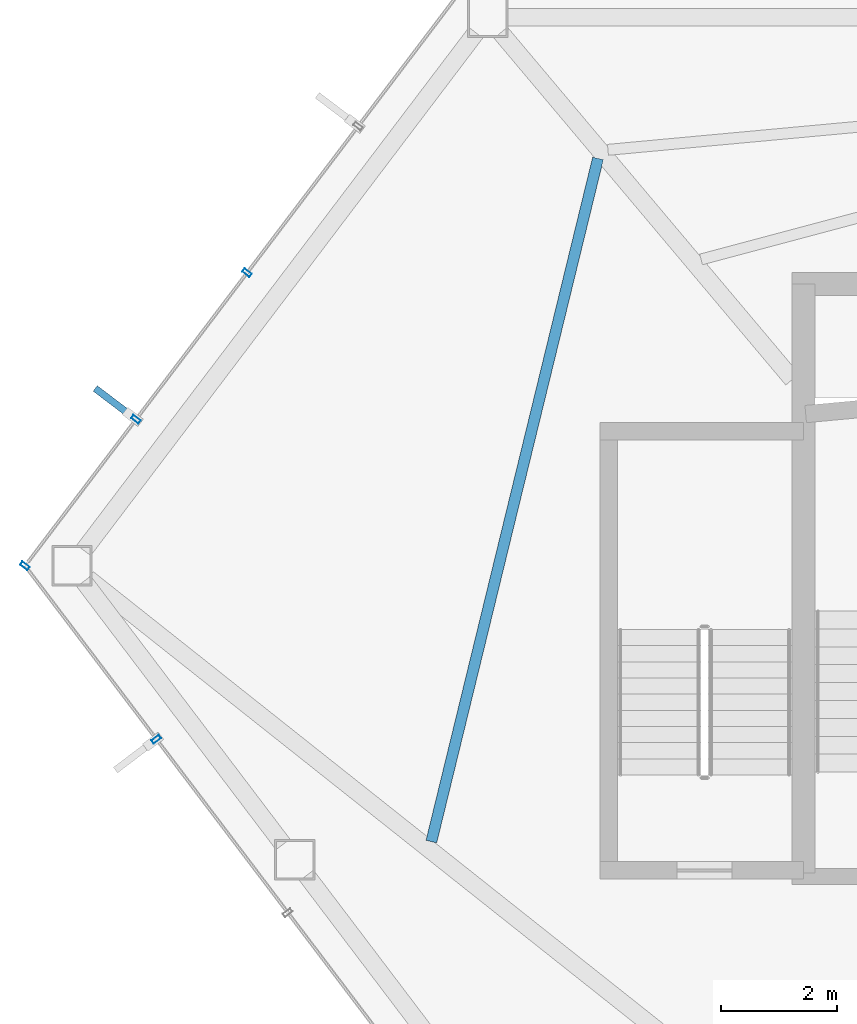
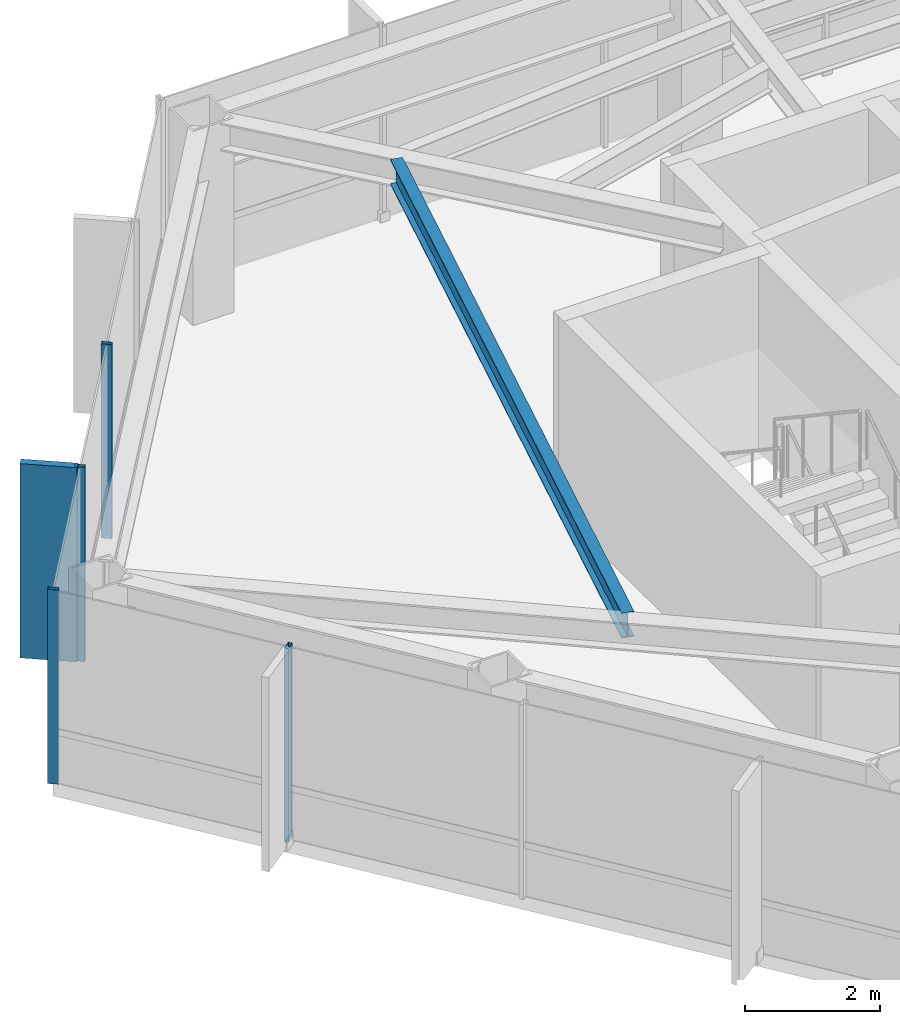
# One storey, part 10 of 27: 5 members, 1 beam, 2 elements without a shape of their own.
"""IFC4 building model written with IfcOpenShell, lengths in metres."""

from ifc_helpers import new_model, si_unit, direction, frame, origin, origin_2d, place, context, subcontext, project, spatial, rectangle, hollow_rectangle, i_section, extrude, material, layer, layer_set, material_profile, profile_set, type_object, element, aggregate, save


model = new_model("IFC4")

# Units and contexts
model_context = context("Model", 3, precision=1e-05, world=origin(), true_north=direction((0.0, 1.0)))
body_context = subcontext(model_context, "Body", "Model", "MODEL_VIEW")
ifc_project = project(units=[si_unit("LENGTHUNIT", "METRE"), si_unit("AREAUNIT", "SQUARE_METRE"), si_unit("VOLUMEUNIT", "CUBIC_METRE"), si_unit("PLANEANGLEUNIT", "RADIAN"), si_unit("MASSUNIT", "GRAM", prefix="KILO")], contexts=[model_context])

# Site, building, storey
site_placement = place(None, origin())
site = spatial("IfcSite", under=ifc_project, at=site_placement, CompositionType="ELEMENT")
building_placement = place(site_placement, origin())
building = spatial("IfcBuilding", under=site, at=building_placement, Name="Zarrinselat Tower", CompositionType="ELEMENT")
storey_placement = place(building_placement, frame((0.0, 0.0, 179.52001953125)))
storey = spatial("IfcBuildingStorey", under=building, at=storey_placement, Name="L44", CompositionType="ELEMENT", Elevation=179.52001953125)

# Beam
ifc_material_1 = material(Name="Steel S355J2", Category="steel")
ifc_material_profile_1 = material_profile(ifc_material_1, i_section(OverallWidth=0.18994140625, OverallDepth=0.449951171875, WebThickness=0.009521484375, FlangeThickness=0.0146484375, at=origin_2d()), Name="IPE 450")
ifc_profile_set_1 = profile_set([ifc_material_profile_1], Name="Steel S355J2")
beam_type = type_object("IfcBeamType", Name="BM-IPE450", PredefinedType="JOIST", material=ifc_profile_set_1)
beam_placement = place(storey_placement, frame((22.158203125, 33.7978515625, 3.27490234375), z_axis=(0.236982954582, 0.971513808053, 0.0), x_axis=(-0.971513808053, 0.236982954582, 0.0)))
element("IfcBeam", 1, at=beam_placement, inside=storey, type_object=beam_type, Name="L44 Composite Floor Joist 10-1", PredefinedType="JOIST", context=body_context, shape_type="SweptSolid", body=[
    extrude(i_section(OverallWidth=0.18994140625, OverallDepth=0.449951171875, WebThickness=0.009521484375, FlangeThickness=0.0146484375, at=origin_2d()), origin(), (0.0, 0.0, 1.0), 12.175048828125),
])

# Curtain wall, members
ifc_material_2 = material(Name="Extruded Aluminium Alloy EN AW-6063 T6", Category="aluminium")
ifc_layer = layer(ifc_material_2, 0.175048828125)
ifc_layer_set = layer_set([ifc_layer], Name="Extruded Aluminium Alloy EN AW-6063 T6")
curtain_wall_type = type_object("IfcCurtainWallType", Name="CWS-HTL", PredefinedType="NOTDEFINED", material=ifc_layer_set)
curtain_wall_1_placement = place(storey_placement, origin())
curtain_wall_1 = element("IfcCurtainWall", 2, at=curtain_wall_1_placement, inside=storey, type_object=curtain_wall_type, Name="L44 Unitised Curtain Wall CW-L44-E02", PredefinedType="NOTDEFINED")
ifc_material_3 = material(Name="Extruded Aluminium Alloy EN AW-6063 T6", Category="aluminium")
ifc_material_profile_2 = material_profile(ifc_material_3, hollow_rectangle(XDim=0.070068359375, YDim=0.159912109375, WallThickness=0.00390625, at=origin_2d()), Name="RHS 160x70x4")
ifc_profile_set_2 = profile_set([ifc_material_profile_2], Name="Extruded Aluminium Alloy EN AW-6063 T6")
member_type_1 = type_object("IfcMemberType", Name="MEM-CW-MUL2", PredefinedType="MULLION", material=ifc_profile_set_2)
member_1_placement = place(storey_placement, frame((18.965087890625, 43.64697265625, 0.0), z_axis=(0.0, 0.0, 1.0), x_axis=(-0.603859048702, -0.797091117314, 0.0)))
member_1 = element("IfcMember", 3, at=member_1_placement, type_object=member_type_1, Name="CW-L44-E02 Mullion 2", PredefinedType="MULLION", context=body_context, shape_type="SweptSolid", body=[
    extrude(hollow_rectangle(XDim=0.070068359375, YDim=0.159912109375, WallThickness=0.00390625, at=origin_2d()), origin(), (0.0, 0.0, 1.0), 3.5),
])
member_2_placement = place(storey_placement, frame((17.04248046875, 41.109375, 0.0), z_axis=(0.0, 0.0, 1.0), x_axis=(-0.603859048702, -0.797091117314, 0.0)))
member_2 = element("IfcMember", 4, at=member_2_placement, type_object=member_type_1, Name="CW-L44-E02 Mullion 3", PredefinedType="MULLION", context=body_context, shape_type="SweptSolid", body=[
    extrude(hollow_rectangle(XDim=0.070068359375, YDim=0.159912109375, WallThickness=0.00390625, at=origin_2d()), origin(), (0.0, 0.0, 1.0), 3.5),
])
member_3_placement = place(storey_placement, frame((15.1201171875, 38.57177734375, 0.0), z_axis=(0.0, 0.0, 1.0), x_axis=(-0.603859048702, -0.797091117314, 0.0)))
member_3 = element("IfcMember", 5, at=member_3_placement, type_object=member_type_1, Name="CW-L44-E02 Mullion 4", PredefinedType="MULLION", context=body_context, shape_type="SweptSolid", body=[
    extrude(hollow_rectangle(XDim=0.070068359375, YDim=0.159912109375, WallThickness=0.00390625, at=origin_2d()), origin(), (0.0, 0.0, 1.0), 3.5),
])

# Curtain wall, member
curtain_wall_2_placement = place(storey_placement, origin())
curtain_wall_2 = element("IfcCurtainWall", 6, at=curtain_wall_2_placement, inside=storey, type_object=curtain_wall_type, Name="L44 Unitised Curtain Wall CW-L44-E03", PredefinedType="NOTDEFINED")
member_4_placement = place(storey_placement, frame((17.39453125, 35.5693359375, 0.0), z_axis=(0.0, 0.0, 1.0), x_axis=(0.603857322892, -0.797092424748, 0.0)))
member_4 = element("IfcMember", 7, at=member_4_placement, type_object=member_type_1, Name="CW-L44-E03 Mullion 1", PredefinedType="MULLION", context=body_context, shape_type="SweptSolid", body=[
    extrude(hollow_rectangle(XDim=0.070068359375, YDim=0.159912109375, WallThickness=0.00390625, at=origin_2d()), origin(), (0.0, 0.0, 1.0), 3.5),
])
aggregate(curtain_wall_2, [member_4])

# Member
ifc_material_4 = material(Name="Honed Cream Travertine Stone", Category="masonry")
ifc_material_profile_3 = material_profile(ifc_material_4, rectangle(XDim=0.1201171875, YDim=0.85009765625, at=origin_2d()), Name="FIN 850x120")
ifc_profile_set_3 = profile_set([ifc_material_profile_3], Name="Honed Cream Travertine Stone")
member_type_2 = type_object("IfcMemberType", Name="MEM-STONE-FIN", PredefinedType="USERDEFINED", material=ifc_profile_set_3)
member_5_placement = place(storey_placement, frame((16.67578125, 41.38720703125, 0.0), z_axis=(0.0, 0.0, 1.0), x_axis=(0.603859048702, 0.797091117314, 0.0)))
member_5 = element("IfcMember", 8, at=member_5_placement, type_object=member_type_2, Name="L44 Stone Shading Fin CW-L44-E02-03", ObjectType="FIN", PredefinedType="USERDEFINED", context=body_context, shape_type="SweptSolid", body=[
    extrude(rectangle(XDim=0.1201171875, YDim=0.85009765625, at=origin_2d()), origin(), (0.0, 0.0, 1.0), 3.5),
])

aggregate(curtain_wall_1, [member_1, member_2, member_5, member_3])

save(model, "model.ifc")
